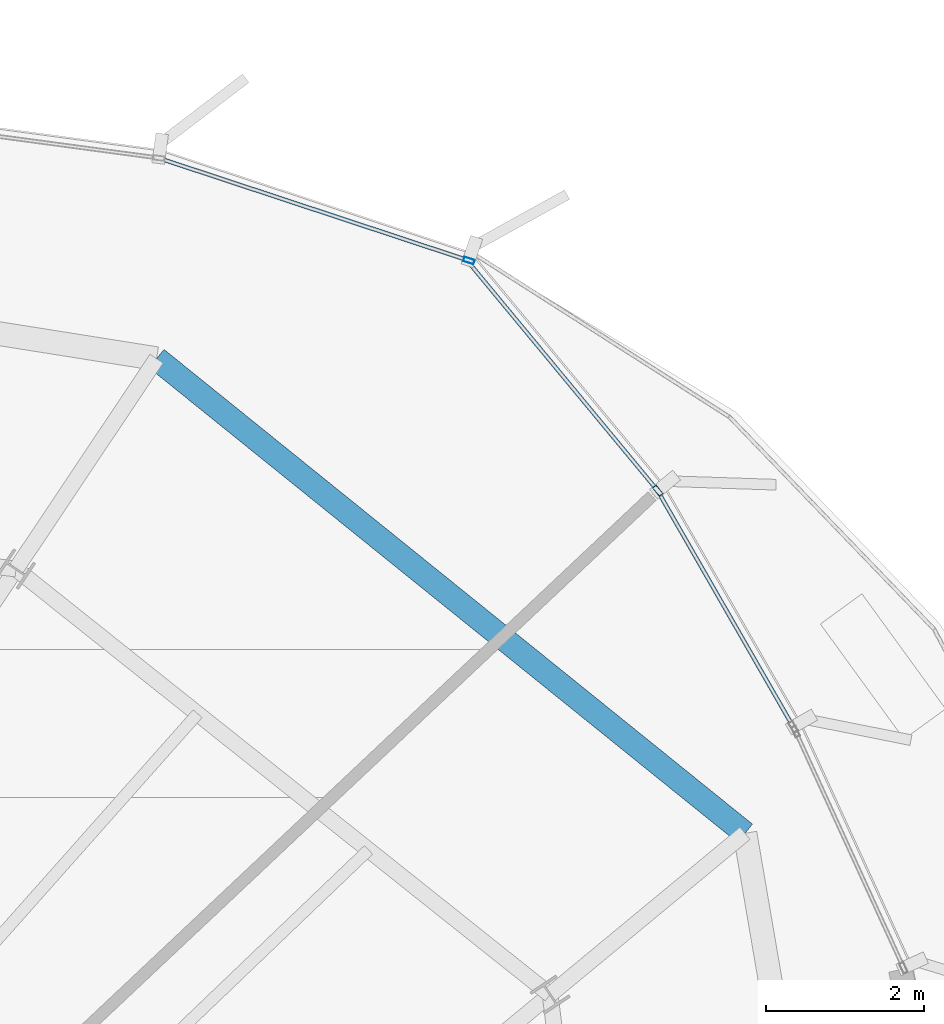
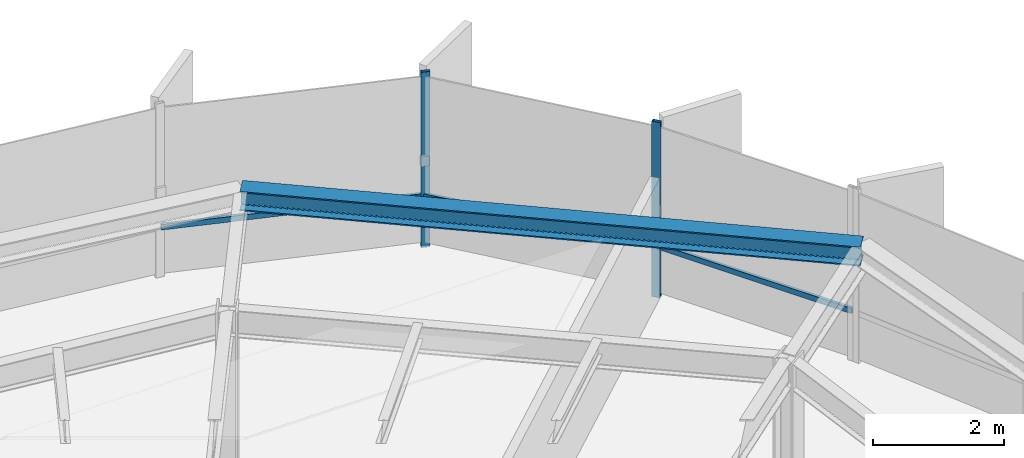
# One storey, part 27 of 35: 5 members, 1 beam, 1 element without a shape of its own.
"""IFC4 building model written with IfcOpenShell, lengths in metres."""

from ifc_helpers import new_model, si_unit, direction, frame, origin, origin_2d, place, context, subcontext, project, spatial, hollow_rectangle, i_section, extrude, source, transform, mapped, material, layer, layer_set, material_profile, profile_set, type_object, element, aggregate, save


model = new_model("IFC4")

# Units and contexts
model_context = context("Model", 3, precision=1e-05, world=origin(), true_north=direction((0.0, 1.0)))
body_context = subcontext(model_context, "Body", "Model", "MODEL_VIEW")
ifc_project = project(units=[si_unit("LENGTHUNIT", "METRE"), si_unit("AREAUNIT", "SQUARE_METRE"), si_unit("VOLUMEUNIT", "CUBIC_METRE"), si_unit("PLANEANGLEUNIT", "RADIAN"), si_unit("MASSUNIT", "GRAM", prefix="KILO"), si_unit("THERMODYNAMICTEMPERATUREUNIT", "KELVIN")], contexts=[model_context])

# Site, building, storey
site_placement = place(None, origin())
site = spatial("IfcSite", under=ifc_project, at=site_placement, CompositionType="ELEMENT")
building_placement = place(site_placement, origin())
building = spatial("IfcBuilding", under=site, at=building_placement, Name="Kethvar Cultural Tower", CompositionType="ELEMENT")
storey_placement = place(building_placement, frame((0.0, 0.0, 179.89990234375)))
storey = spatial("IfcBuildingStorey", under=building, at=storey_placement, Name="L46", CompositionType="ELEMENT", Elevation=179.89990234375)

# Beam
ifc_material_1 = material(Name="Steel S355J2", Category="steel")
ifc_material_profile_1 = material_profile(ifc_material_1, i_section(OverallWidth=0.300048828125, OverallDepth=0.360107421875, WebThickness=0.012451171875, FlangeThickness=0.0224609375, FilletRadius=0.027099609375, at=origin_2d()), Name="Steel S355J2 — HEB360")
ifc_profile_set_1 = profile_set([ifc_material_profile_1], Name="Steel S355J2 — HEB360")
beam_type = type_object("IfcBeamType", Name="BM-SP360", PredefinedType="SPANDREL", material=ifc_profile_set_1)
shared_shape_1 = source(origin(), body_context, "Body", "SweptSolid", [
    extrude(i_section(OverallWidth=0.300048828125, OverallDepth=0.360107421875, WebThickness=0.012451171875, FlangeThickness=0.0224609375, FilletRadius=0.027099609375, at=origin_2d()), origin(), (0.0, 0.0, 1.0), 9.563232421875),
])
beam_placement = place(storey_placement, frame((67.96923828125, 42.338134765625, 3.078125), z_axis=(-0.77833939171, 0.627843763458, 0.0), x_axis=(-0.627843763458, -0.77833939171, 0.0)))
element("IfcBeam", 1, at=beam_placement, inside=storey, type_object=beam_type, Name="L46 Perimeter Spandrel Beam SP-02", PredefinedType="SPANDREL", context=body_context, shape_type="MappedRepresentation", body=[
    mapped(shared_shape_1, transform((0.0, 0.0, 0.0), scale=1.0)),
])

# Curtain wall, members
ifc_material_2 = material(Name="Aluminium 6063-T6", Category="aluminium")
ifc_layer = layer(ifc_material_2, 0.179931640625, Name="Aluminium 6063-T6", Category="aluminium")
ifc_layer_set = layer_set([ifc_layer], Name="Aluminium 6063-T6 (180 mm)")
curtain_wall_type = type_object("IfcCurtainWallType", Name="CW-SYS-04-Z34", PredefinedType="NOTDEFINED", material=ifc_layer_set)
curtain_wall_placement = place(storey_placement, origin())
curtain_wall = element("IfcCurtainWall", 2, at=curtain_wall_placement, inside=storey, type_object=curtain_wall_type, Name="L46 Curtain Wall Run 01", PredefinedType="NOTDEFINED")
ifc_material_profile_2 = material_profile(ifc_material_2, hollow_rectangle(XDim=0.06005859375, YDim=0.139892578125, WallThickness=0.0048828125, at=origin_2d()), Name="Aluminium 6063-T6 — RHS140x60x5")
ifc_profile_set_2 = profile_set([ifc_material_profile_2], Name="Aluminium 6063-T6 — RHS140x60x5")
member_type_1 = type_object("IfcMemberType", Name="CW-SYS-04-Z34-MUL", PredefinedType="MULLION", material=ifc_profile_set_2)
shared_shape_2 = source(origin(), body_context, "Body", "SweptSolid", [
    extrude(hollow_rectangle(XDim=0.06005859375, YDim=0.139892578125, WallThickness=0.0048828125, at=origin_2d()), origin(), (0.0, 0.0, 1.0), 3.260009765625),
])
member_1_placement = place(storey_placement, frame((66.86572265625, 46.671630859375, 0.0), z_axis=(0.0, 0.0, 1.0), x_axis=(-0.770212778256, -0.637787014772, 0.0)))
member_1 = element("IfcMember", 3, at=member_1_placement, type_object=member_type_1, Name="CW-L46-R01 Mullion 2", PredefinedType="MULLION", context=body_context, shape_type="MappedRepresentation", body=[
    mapped(shared_shape_2, transform((0.0, 0.0, 0.0), scale=1.0)),
])
member_2_placement = place(storey_placement, frame((64.476806640625, 49.582763671875, 0.0), z_axis=(0.0, 0.0, 1.0), x_axis=(-0.313793601875, -0.949491219244, 0.0)))
member_2 = element("IfcMember", 4, at=member_2_placement, type_object=member_type_1, Name="CW-L46-R01 Mullion 3", PredefinedType="MULLION", context=body_context, shape_type="MappedRepresentation", body=[
    mapped(shared_shape_2, transform((0.0, 0.0, 0.0), scale=1.0)),
])
ifc_material_profile_3 = material_profile(ifc_material_2, hollow_rectangle(XDim=0.050048828125, YDim=0.10009765625, WallThickness=0.00390625, at=origin_2d()), Name="Aluminium 6063-T6 — RHS100x50x4")
ifc_profile_set_3 = profile_set([ifc_material_profile_3], Name="Aluminium 6063-T6 — RHS100x50x4")
member_type_2 = type_object("IfcMemberType", Name="CW-SYS-04-Z34-TRN", PredefinedType="USERDEFINED", material=ifc_profile_set_3)
shared_shape_3 = source(origin(), body_context, "Body", "SweptSolid", [
    extrude(hollow_rectangle(XDim=0.050048828125, YDim=0.10009765625, WallThickness=0.00390625, at=origin_2d()), origin(), (0.0, 0.0, 1.0), 3.413818359375),
])
member_3_placement = place(storey_placement, frame((68.576904296875, 43.689453125, 0.9501953125), z_axis=(-0.498101579508, 0.867118686508, 0.0), x_axis=(-0.867118686508, -0.498101579508, 0.0)))
member_3 = element("IfcMember", 5, at=member_3_placement, type_object=member_type_2, Name="CW-L46-R01 Transom 1", ObjectType="TRANSOM", PredefinedType="USERDEFINED", context=body_context, shape_type="MappedRepresentation", body=[
    mapped(shared_shape_3, transform((0.0, 0.0, 0.0), scale=1.0)),
])
shared_shape_4 = source(origin(), body_context, "Body", "SweptSolid", [
    extrude(hollow_rectangle(XDim=0.050048828125, YDim=0.10009765625, WallThickness=0.00390625, at=origin_2d()), origin(), (0.0, 0.0, 1.0), 3.73779296875),
])
member_4_placement = place(storey_placement, frame((66.838134765625, 46.704833984375, 0.9501953125), z_axis=(-0.637804284979, 0.770198477058, 0.0), x_axis=(-0.770198477058, -0.637804284979, 0.0)))
member_4 = element("IfcMember", 6, at=member_4_placement, type_object=member_type_2, Name="CW-L46-R01 Transom 2", ObjectType="TRANSOM", PredefinedType="USERDEFINED", context=body_context, shape_type="MappedRepresentation", body=[
    mapped(shared_shape_4, transform((0.0, 0.0, 0.0), scale=1.0)),
])
shared_shape_5 = source(origin(), body_context, "Body", "SweptSolid", [
    extrude(hollow_rectangle(XDim=0.050048828125, YDim=0.10009765625, WallThickness=0.00390625, at=origin_2d()), origin(), (0.0, 0.0, 1.0), 4.064208984375),
])
member_5_placement = place(storey_placement, frame((64.435791015625, 49.59619140625, 0.9501953125), z_axis=(-0.949485178448, 0.313811879806, 0.0), x_axis=(-0.313811879806, -0.949485178448, 0.0)))
member_5 = element("IfcMember", 7, at=member_5_placement, type_object=member_type_2, Name="CW-L46-R01 Transom 3", ObjectType="TRANSOM", PredefinedType="USERDEFINED", context=body_context, shape_type="MappedRepresentation", body=[
    mapped(shared_shape_5, transform((0.0, 0.0, 0.0), scale=1.0)),
])
aggregate(curtain_wall, [member_1, member_2, member_3, member_4, member_5])

save(model, "model.ifc")
